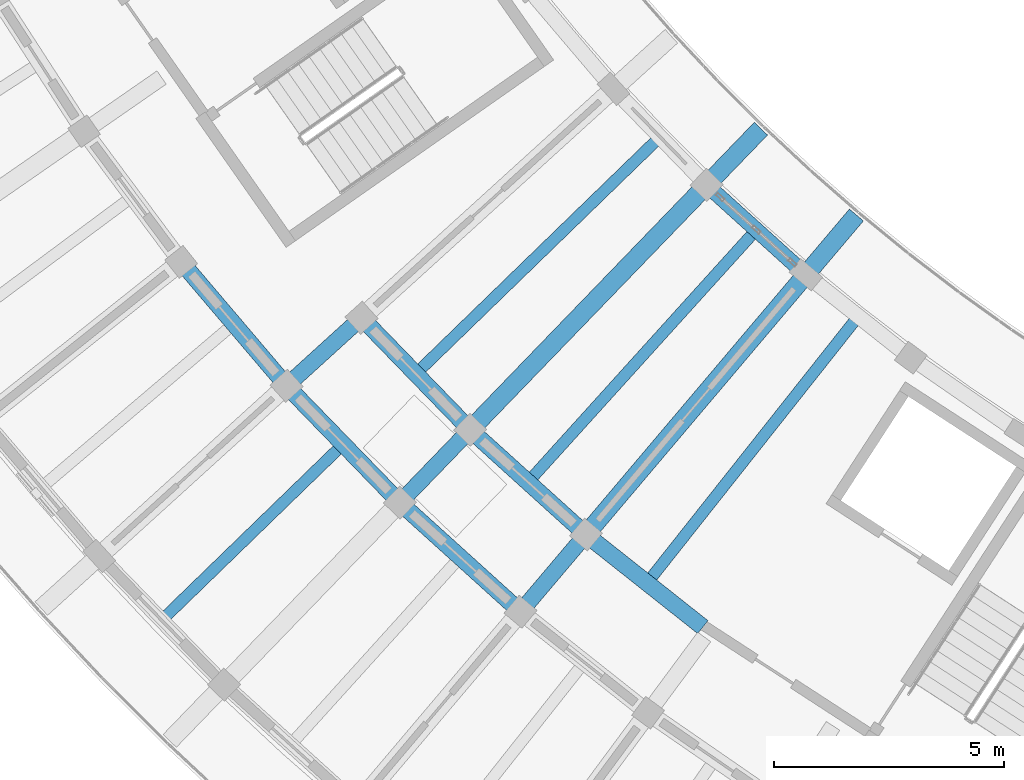
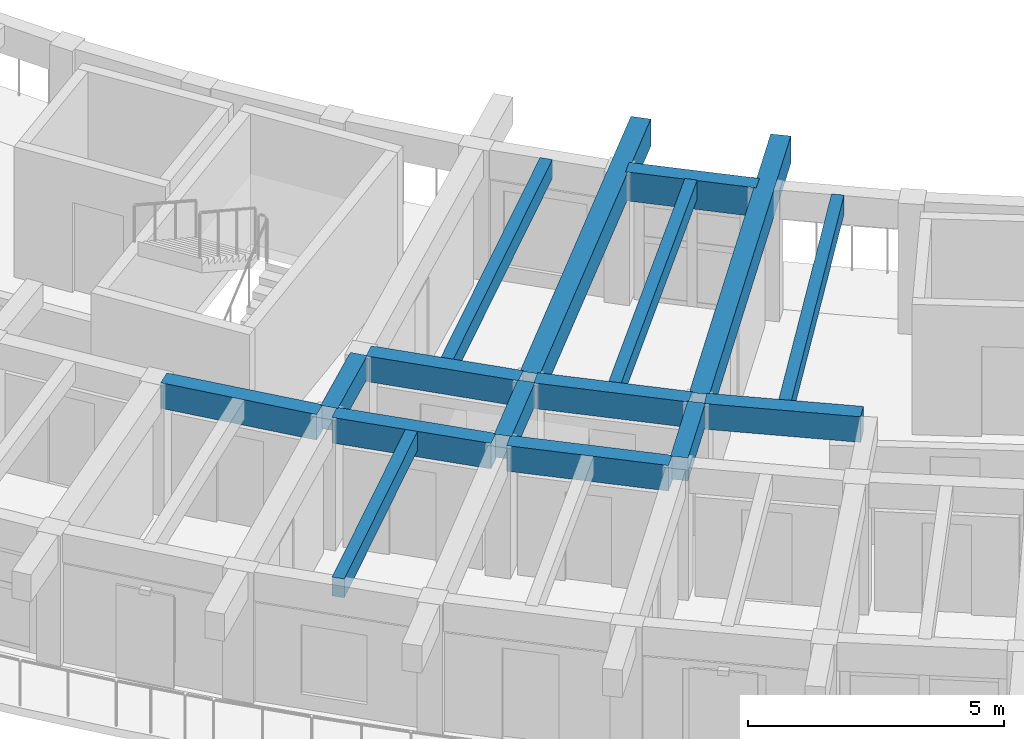
# One storey, part 8 of 62: 16 beams.
"""IFC4 building model written with IfcOpenShell, lengths in metres."""

from ifc_helpers import new_model, si_unit, direction, frame, origin, origin_2d, place, context, subcontext, project, spatial, rectangle, extrude, material, material_profile, profile_set, type_object, element, save


model = new_model("IFC4")

# Units and contexts
model_context = context("Model", 3, precision=1e-05, world=origin(), true_north=direction((0.0, 1.0)))
body_context = subcontext(model_context, "Body", "Model", "MODEL_VIEW")
ifc_project = project(units=[si_unit("LENGTHUNIT", "METRE"), si_unit("AREAUNIT", "SQUARE_METRE"), si_unit("VOLUMEUNIT", "CUBIC_METRE"), si_unit("PLANEANGLEUNIT", "RADIAN"), si_unit("MASSUNIT", "GRAM", prefix="KILO")], contexts=[model_context])

# Site, building, storey
site_placement = place(None, origin())
site = spatial("IfcSite", under=ifc_project, at=site_placement, CompositionType="ELEMENT")
building_placement = place(site_placement, origin())
building = spatial("IfcBuilding", under=site, at=building_placement, Name="Tanwirah Colonnade Gardens", CompositionType="ELEMENT")
storey_placement = place(building_placement, frame((0.0, 0.0, 32.360107421875)))
storey = spatial("IfcBuildingStorey", under=building, at=storey_placement, Name="L09", CompositionType="ELEMENT", Elevation=32.360107421875)

# Beams
ifc_material_1 = material(Name="Precast concrete C40/50", Category="concrete")
ifc_material_profile_1 = material_profile(ifc_material_1, rectangle(XDim=0.360107421875, YDim=0.610107421875, at=origin_2d()), Name="PC-BM 360x610")
ifc_profile_set_1 = profile_set([ifc_material_profile_1], Name="Precast concrete C40/50")
beam_type_1 = type_object("IfcBeamType", Name="BM-PC300", PredefinedType="BEAM", material=ifc_profile_set_1)
beam_1_placement = place(storey_placement, frame((22.797119140625, 30.73876953125, 2.809814453125), z_axis=(0.6478235549, -0.761790418499, 0.0), x_axis=(0.761790418499, 0.6478235549, 0.0)))
element("IfcBeam", 1, at=beam_1_placement, inside=storey, type_object=beam_type_1, Name="Block C L09 Circumferential Beam 6-R2", PredefinedType="BEAM", context=body_context, shape_type="SweptSolid", body=[
    extrude(rectangle(XDim=0.360107421875, YDim=0.610107421875, at=origin_2d()), origin(), (0.0, 0.0, 1.0), 3.23681640625),
])
beam_2_placement = place(storey_placement, frame((26.72412109375, 29.530029296875, 2.809814453125), z_axis=(0.696209937932, -0.71783822852, 0.0), x_axis=(0.71783822852, 0.696209937932, 0.0)))
element("IfcBeam", 2, at=beam_2_placement, inside=storey, type_object=beam_type_1, Name="Block C L09 Circumferential Beam 7-R1", PredefinedType="BEAM", context=body_context, shape_type="SweptSolid", body=[
    extrude(rectangle(XDim=0.360107421875, YDim=0.610107421875, at=origin_2d()), origin(), (0.0, 0.0, 1.0), 3.093017578125),
])
beam_3_placement = place(storey_placement, frame((25.095703125, 28.05078125, 2.809814453125), z_axis=(0.696238887656, -0.717810149911, 0.0), x_axis=(0.717810149911, 0.696238887656, 0.0)))
element("IfcBeam", 3, at=beam_3_placement, inside=storey, type_object=beam_type_1, Name="Block C L09 Circumferential Beam 7-R2", PredefinedType="BEAM", context=body_context, shape_type="SweptSolid", body=[
    extrude(rectangle(XDim=0.360107421875, YDim=0.610107421875, at=origin_2d()), origin(), (0.0, 0.0, 1.0), 3.23681640625),
])
beam_4_placement = place(storey_placement, frame((29.09326171875, 27.1015625, 2.809814453125), z_axis=(0.741698455559, -0.670733479873, 0.0), x_axis=(0.670733479873, 0.741698455559, 0.0)))
element("IfcBeam", 4, at=beam_4_placement, inside=storey, type_object=beam_type_1, Name="Block C L09 Circumferential Beam 8-R1", PredefinedType="BEAM", context=body_context, shape_type="SweptSolid", body=[
    extrude(rectangle(XDim=0.360107421875, YDim=0.610107421875, at=origin_2d()), origin(), (0.0, 0.0, 1.0), 3.0927734375),
])
beam_5_placement = place(storey_placement, frame((27.56494140625, 25.51904296875, 2.809814453125), z_axis=(0.741701929733, -0.670729638104, 0.0), x_axis=(0.670729638104, 0.741701929733, 0.0)))
element("IfcBeam", 5, at=beam_5_placement, inside=storey, type_object=beam_type_1, Name="Block C L09 Circumferential Beam 8-R2", PredefinedType="BEAM", context=body_context, shape_type="SweptSolid", body=[
    extrude(rectangle(XDim=0.360107421875, YDim=0.610107421875, at=origin_2d()), origin(), (0.0, 0.0, 1.0), 3.237060546875),
])
beam_6_placement = place(storey_placement, frame((31.615966796875, 24.833251953125, 2.809814453125), z_axis=(0.783962588163, -0.62080807047, 0.0), x_axis=(0.62080807047, 0.783962588163, 0.0)))
element("IfcBeam", 6, at=beam_6_placement, inside=storey, type_object=beam_type_1, Name="Block C L09 Circumferential Beam 9-R1", PredefinedType="BEAM", context=body_context, shape_type="SweptSolid", body=[
    extrude(rectangle(XDim=0.360107421875, YDim=0.610107421875, at=origin_2d()), origin(), (0.0, 0.0, 1.0), 3.093017578125),
])
ifc_material_profile_2 = material_profile(ifc_material_1, rectangle(XDim=0.35009765625, YDim=0.550048828125, at=origin_2d()), Name="PC-BM 350x550")
ifc_profile_set_2 = profile_set([ifc_material_profile_2], Name="Precast concrete C40/50")
beam_type_2 = type_object("IfcBeamType", Name="BM-PC350A", PredefinedType="BEAM", material=ifc_profile_set_2)
beam_7_placement = place(storey_placement, frame((26.508544921875, 29.536865234375, 2.83984375), z_axis=(-0.740219127015, -0.672365707038, 0.0), x_axis=(0.672365707038, -0.740219127015, 0.0)))
element("IfcBeam", 7, at=beam_7_placement, inside=storey, type_object=beam_type_2, Name="Block C L09 Corridor Tie Beam 7", PredefinedType="BEAM", context=body_context, shape_type="SweptSolid", body=[
    extrude(rectangle(XDim=0.35009765625, YDim=0.550048828125, at=origin_2d()), origin(), (0.0, 0.0, 1.0), 1.899658203125),
])
beam_8_placement = place(storey_placement, frame((28.877685546875, 27.09423828125, 2.83984375), z_axis=(-0.694663306685, -0.719335033448, 0.0), x_axis=(0.719335033448, -0.694663306685, 0.0)))
element("IfcBeam", 8, at=beam_8_placement, inside=storey, type_object=beam_type_2, Name="Block C L09 Corridor Tie Beam 8", PredefinedType="BEAM", context=body_context, shape_type="SweptSolid", body=[
    extrude(rectangle(XDim=0.35009765625, YDim=0.550048828125, at=origin_2d()), origin(), (0.0, 0.0, 1.0), 1.89990234375),
])
beam_9_placement = place(storey_placement, frame((31.401611328125, 24.81201171875, 2.83984375), z_axis=(-0.646155325581, -0.763205932382, 0.0), x_axis=(0.763205932382, -0.646155325581, 0.0)))
element("IfcBeam", 9, at=beam_9_placement, inside=storey, type_object=beam_type_2, Name="Block C L09 Corridor Tie Beam 9", PredefinedType="BEAM", context=body_context, shape_type="SweptSolid", body=[
    extrude(rectangle(XDim=0.35009765625, YDim=0.550048828125, at=origin_2d()), origin(), (0.0, 0.0, 1.0), 1.900146484375),
])
ifc_material_2 = material(Name="Precast concrete C45/55", Category="concrete")
ifc_material_profile_3 = material_profile(ifc_material_2, rectangle(XDim=0.39990234375, YDim=0.64990234375, at=origin_2d()), Name="PC-BM 400x650")
ifc_profile_set_3 = profile_set([ifc_material_profile_3], Name="Precast concrete C45/55")
beam_type_3 = type_object("IfcBeamType", Name="BM-PC400", PredefinedType="BEAM", material=ifc_profile_set_3)
beam_10_placement = place(storey_placement, frame((29.086181640625, 27.31005859375, 2.789794921875), z_axis=(0.694655848402, 0.719342235852, 0.0), x_axis=(-0.719342235852, 0.694655848402, 0.0)))
element("IfcBeam", 10, at=beam_10_placement, inside=storey, type_object=beam_type_3, Name="Block C L09 Inner Radial Precast Girder 8", PredefinedType="BEAM", context=body_context, shape_type="SweptSolid", body=[
    extrude(rectangle(XDim=0.39990234375, YDim=0.64990234375, at=origin_2d()), origin(), (0.0, 0.0, 1.0), 8.9501953125),
])
beam_11_placement = place(storey_placement, frame((31.595458984375, 25.040771484375, 2.789794921875), z_axis=(0.64611097415, 0.763243479554, 0.0), x_axis=(-0.763243479554, 0.64611097415, 0.0)))
element("IfcBeam", 11, at=beam_11_placement, inside=storey, type_object=beam_type_3, Name="Block C L09 Inner Radial Precast Girder 9", PredefinedType="BEAM", context=body_context, shape_type="SweptSolid", body=[
    extrude(rectangle(XDim=0.39990234375, YDim=0.64990234375, at=origin_2d()), origin(), (0.0, 0.0, 1.0), 8.949951171875),
])
ifc_material_profile_4 = material_profile(ifc_material_1, rectangle(XDim=0.25, YDim=0.449951171875, at=origin_2d()), Name="PC-JST 250x450")
ifc_profile_set_4 = profile_set([ifc_material_profile_4], Name="Precast concrete C40/50")
beam_type_4 = type_object("IfcBeamType", Name="JST-PC250", PredefinedType="JOIST", material=ifc_profile_set_4)
beam_12_placement = place(storey_placement, frame((26.115478515625, 26.785400390625, 2.889892578125), z_axis=(-0.717816036263, -0.696232818878, 0.0), x_axis=(0.696232818878, -0.717816036263, 0.0)))
element("IfcBeam", 12, at=beam_12_placement, inside=storey, type_object=beam_type_4, Name="Block C L09 Precast Floor Joist 7", PredefinedType="JOIST", context=body_context, shape_type="SweptSolid", body=[
    extrude(rectangle(XDim=0.25, YDim=0.449951171875, at=origin_2d()), origin(), (0.0, 0.0, 1.0), 5.260009765625),
])
beam_13_placement = place(storey_placement, frame((33.006591796875, 33.46923828125, 2.889892578125), z_axis=(-0.717816218075, -0.69623263143, 0.0), x_axis=(0.69623263143, -0.717816218075, 0.0)))
element("IfcBeam", 13, at=beam_13_placement, inside=storey, type_object=beam_type_4, Name="Block C L09 Inner Precast Floor Joist 7", PredefinedType="JOIST", context=body_context, shape_type="SweptSolid", body=[
    extrude(rectangle(XDim=0.25, YDim=0.449951171875, at=origin_2d()), origin(), (0.0, 0.0, 1.0), 7.16015625),
])
for number, where, z_axis, x_axis, name in (
    (14, (35.104736328125, 31.443115234375, 2.889892578125), (-0.670773136608, -0.741662591214, 0.0), (0.741662591214, -0.670773136608, 0.0), "Block C L09 Inner Precast Floor Joist 8"),
    (15, (37.33056640625, 29.55859375, 2.889892578125), (-0.620803379809, -0.783966302603, 0.0), (0.783966302603, -0.620803379809, 0.0), "Block C L09 Inner Precast Floor Joist 9"),
):
    element("IfcBeam", number, at=place(storey_placement, frame(where, z_axis=z_axis, x_axis=x_axis)), inside=storey, type_object=beam_type_4, Name=name, PredefinedType="JOIST", context=body_context, shape_type="SweptSolid", body=[
        extrude(rectangle(XDim=0.25, YDim=0.449951171875, at=origin_2d()), origin(), (0.0, 0.0, 1.0), 7.159912109375),
    ])
ifc_material_profile_5 = material_profile(ifc_material_1, rectangle(XDim=0.330078125, YDim=0.68994140625, at=origin_2d()), Name="PC-SP 330x690")
ifc_profile_set_5 = profile_set([ifc_material_profile_5], Name="Precast concrete C40/50")
beam_type_5 = type_object("IfcBeamType", Name="SP-PC280", PredefinedType="SPANDREL", material=ifc_profile_set_5)
beam_14_placement = place(storey_placement, frame((34.233642578125, 32.4248046875, 2.769775390625), z_axis=(0.741686528432, -0.670746668678, 0.0), x_axis=(0.670746668678, 0.741686528432, 0.0)))
element("IfcBeam", 16, at=beam_14_placement, inside=storey, type_object=beam_type_5, Name="Block C L09 Circumferential Beam 8-R0", PredefinedType="SPANDREL", context=body_context, shape_type="SweptSolid", body=[
    extrude(rectangle(XDim=0.330078125, YDim=0.68994140625, at=origin_2d()), origin(), (0.0, 0.0, 1.0), 2.608642578125),
])

save(model, "model.ifc")
